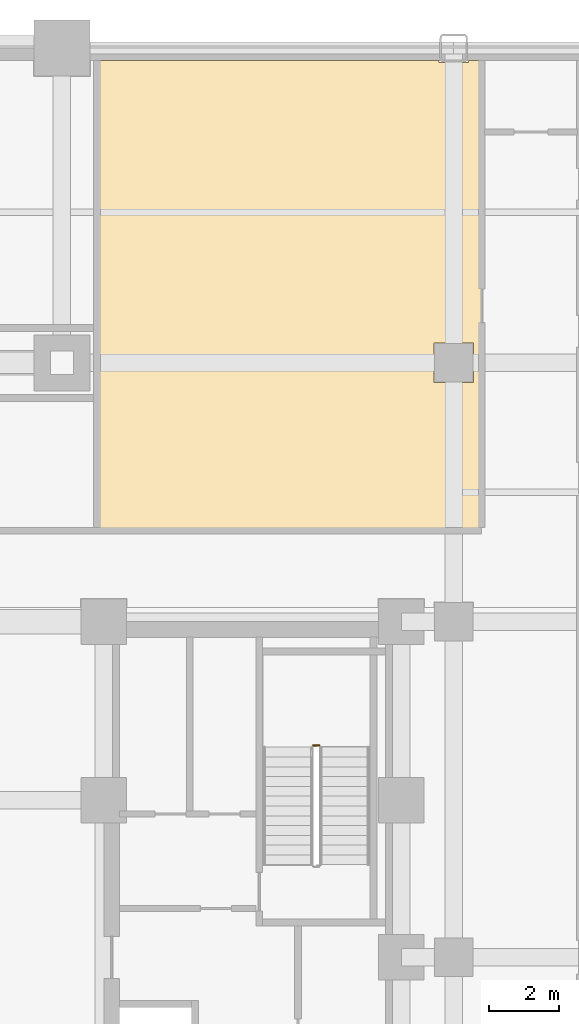
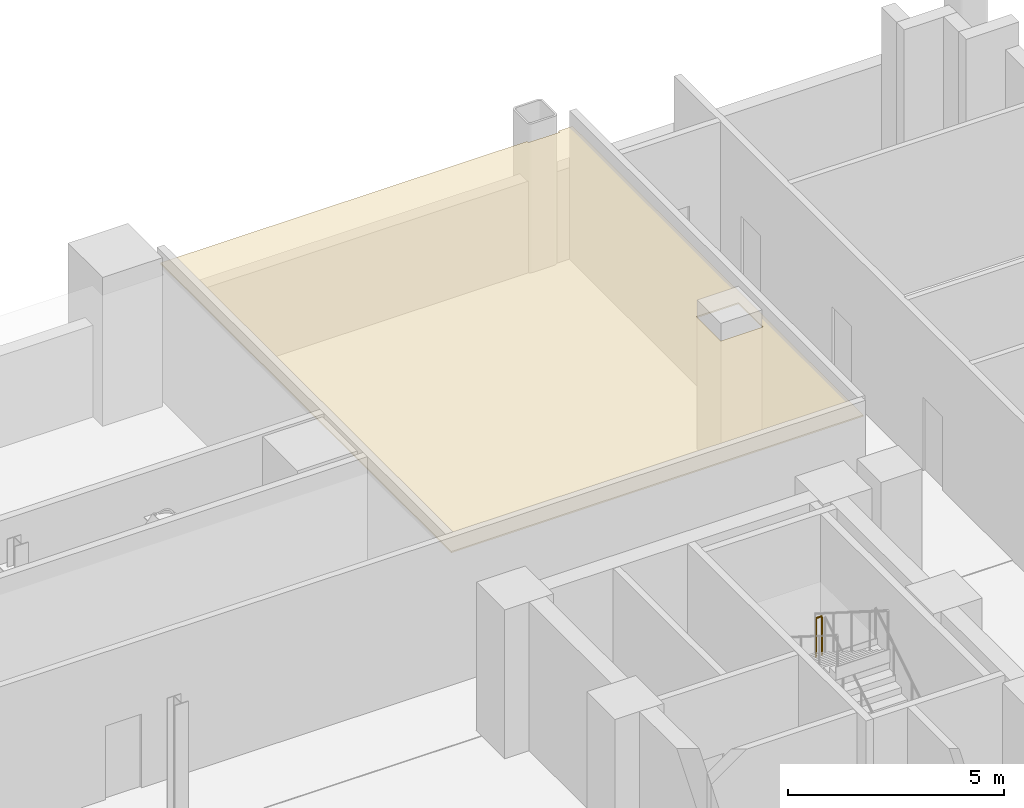
# One storey, part 17 of 17: 1 covering, 1 railing.
"""IFC4 building model written with IfcOpenShell, lengths in metres."""

from ifc_helpers import new_model, si_unit, direction, frame, origin, origin_2d, place, context, subcontext, project, spatial, polyline, circle, outline, extrude, material, layer, layer_set, type_object, element, save


model = new_model("IFC4")

# Units and contexts
model_context = context("Model", 3, precision=1e-05, world=origin(), true_north=direction((0.0, 1.0)))
body_context = subcontext(model_context, "Body", "Model", "MODEL_VIEW")
ifc_project = project(units=[si_unit("LENGTHUNIT", "METRE"), si_unit("AREAUNIT", "SQUARE_METRE"), si_unit("VOLUMEUNIT", "CUBIC_METRE"), si_unit("PLANEANGLEUNIT", "RADIAN"), si_unit("MASSUNIT", "GRAM", prefix="KILO")], contexts=[model_context])

# Site, building, storey
site_placement = place(None, origin())
site = spatial("IfcSite", under=ifc_project, at=site_placement, CompositionType="ELEMENT")
building_placement = place(site_placement, origin())
building = spatial("IfcBuilding", under=site, at=building_placement, Name="Nuvemarco Arch Tower", CompositionType="ELEMENT")
storey_placement = place(building_placement, frame((0.0, 0.0, 18.39990234375)))
storey = spatial("IfcBuildingStorey", under=building, at=storey_placement, Name="L04", CompositionType="ELEMENT", Elevation=18.39990234375)

# Covering
ifc_material_1 = material(Name="Mineral acoustic ceiling tile")
ifc_layer = layer(ifc_material_1, 0.0400390625, Name="COV-ACOUSTIC-CLG")
ifc_layer_set = layer_set([ifc_layer], Name="Mineral acoustic ceiling tile")
covering_type = type_object("IfcCoveringType", Name="COV-ACOUSTIC-CLG", PredefinedType="CEILING", material=ifc_layer_set)
covering_placement = place(storey_placement, frame((0.0, 0.0, 3.68017578125)))
element("IfcCovering", 1, at=covering_placement, inside=storey, type_object=covering_type, Name="L04 suspended acoustic ceiling 5", PredefinedType="CEILING", context=body_context, shape_type="SweptSolid", body=[
    extrude(outline(polyline([(18.5849609375, 25.639892578125), (18.5849609375, 25.5849609375), (19.4150390625, 25.5849609375), (19.4150390625, 25.639892578125), (19.800048828125, 25.639892578125), (19.800048828125, 23.60009765625), (19.800048828125, 12.199951171875), (8.800048828125, 12.199951171875), (8.800048828125, 16.0), (8.800048828125, 18.0), (8.800048828125, 25.639892578125), (18.5849609375, 25.639892578125)]), holes=[polyline([(19.56494140625, 16.43505859375), (19.56494140625, 17.56494140625), (18.43505859375, 17.56494140625), (18.43505859375, 16.43505859375), (19.56494140625, 16.43505859375)])]), origin(), (0.0, 0.0, 1.0), 0.0400390625),
])

# Railing
ifc_material_2 = material(Name="Painted balustrade steel S355", Category="steel")
railing_type = type_object("IfcRailingType", Name="RL-STAIR-GUARD", PredefinedType="GUARDRAIL", material=ifc_material_2)
railing_placement = place(storey_placement, frame((15.14990234375, 6.06005859375, 2.300048828125)))
element("IfcRailing", 2, at=railing_placement, inside=storey, type_object=railing_type, Name="L04 ST-2 stair guard 2", PredefinedType="GUARDRAIL", context=body_context, shape_type="SweptSolid", body=[
    extrude(circle(Radius=0.02392578125, at=origin_2d()), frame((0.0, 0.0, 1.09619140625), z_axis=(-1.0, 0.0, 0.0), x_axis=(0.0, -1.0, 0.0)), (0.0, 0.0, 1.0), 0.159912109375),
    extrude(circle(Radius=0.02099609375, at=origin_2d()), origin(), (0.0, 0.0, 1.0), 1.072021484375),
    extrude(circle(Radius=0.02099609375, at=origin_2d()), frame((-0.159912109375, 0.0, 0.0)), (0.0, 0.0, 1.0), 1.072021484375),
])

save(model, "model.ifc")
